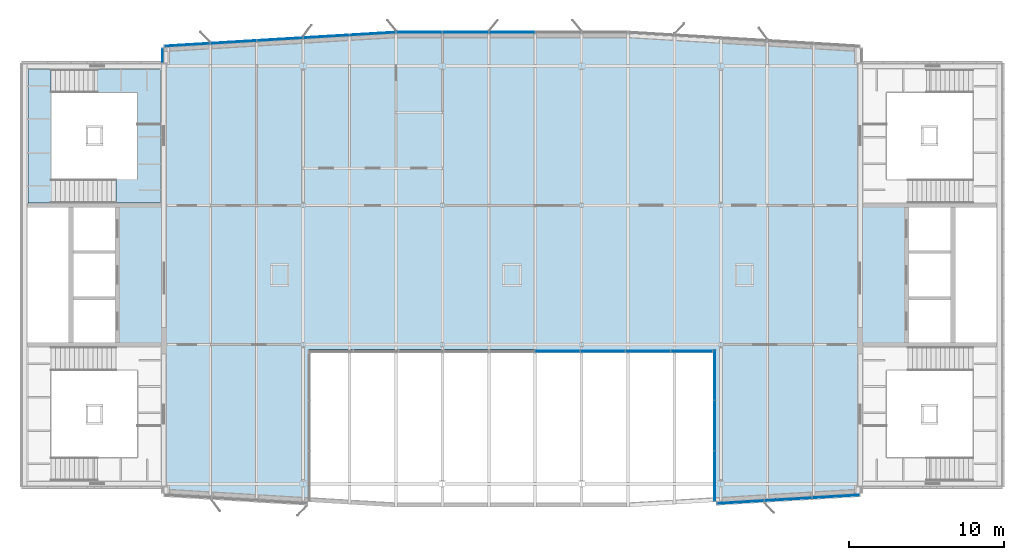
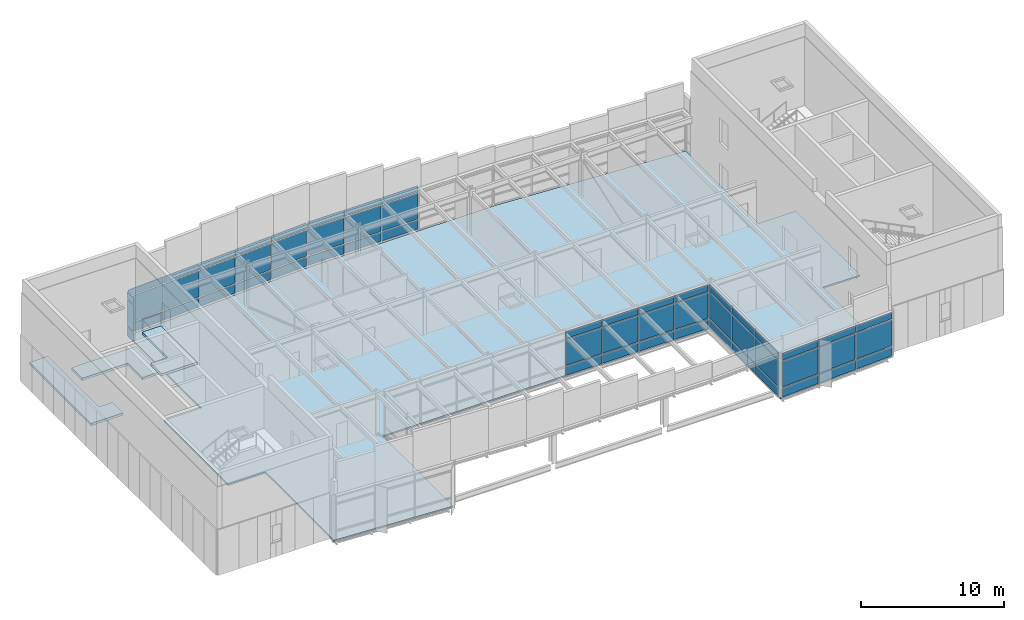
# One storey, part 12 of 23: 57 plates, 4 slabs, 7 elements without a shape of their own.
"""IFC4 building model written with IfcOpenShell, lengths in metres."""

from ifc_helpers import new_model, si_unit, direction, frame, origin, origin_2d, place, context, subcontext, project, spatial, polyline, rectangle, outline, extrude, material, layer, layer_set, type_object, element, aggregate, save


model = new_model("IFC4")

# Units and contexts
model_context = context("Model", 3, precision=1e-05, world=origin(), true_north=direction((0.0, 1.0)))
body_context = subcontext(model_context, "Body", "Model", "MODEL_VIEW")
ifc_project = project(units=[si_unit("LENGTHUNIT", "METRE"), si_unit("AREAUNIT", "SQUARE_METRE"), si_unit("VOLUMEUNIT", "CUBIC_METRE"), si_unit("PLANEANGLEUNIT", "RADIAN"), si_unit("MASSUNIT", "GRAM", prefix="KILO")], contexts=[model_context])

# Site, building, storey
site_placement = place(None, origin())
site = spatial("IfcSite", under=ifc_project, at=site_placement, CompositionType="ELEMENT")
building_placement = place(site_placement, origin())
building = spatial("IfcBuilding", under=site, at=building_placement, Name="Azimuth Sports and Learning Centre", CompositionType="ELEMENT")
storey_placement = place(building_placement, frame((0.0, 0.0, 75.300048828125)))
storey = spatial("IfcBuildingStorey", under=building, at=storey_placement, Name="L17", CompositionType="ELEMENT", Elevation=75.300048828125)

# Slab
ifc_material_1 = material(Name="Concrete C30/37", Category="concrete")
ifc_layer_1 = layer(ifc_material_1, 0.1298828125)
ifc_layer_set_1 = layer_set([ifc_layer_1], Name="Concrete C30/37")
slab_type_1 = type_object("IfcSlabType", Name="Composite floor slab 130", PredefinedType="FLOOR", material=ifc_layer_set_1)
slab_1_placement = place(storey_placement, frame((0.0, 0.0, -0.130126953125)))
element("IfcSlab", 1, at=slab_1_placement, inside=storey, type_object=slab_type_1, Name="Slab TOWER L17", PredefinedType="FLOOR", context=body_context, shape_type="SweptSolid", body=[
    extrude(outline(polyline([(72.300048828125, 88.842041015625), (72.300048828125, 98.699951171875), (98.699951171875, 98.699951171875), (98.699951171875, 88.842041015625), (108.0, 89.39990234375), (108.0, 99.0), (111.0, 99.0), (111.0, 108.0), (108.0, 108.0), (108.0, 118.199951171875), (93.0, 119.10009765625), (78.0, 119.10009765625), (63.0, 118.199951171875), (63.0, 108.0), (60.0, 108.0), (60.0, 99.0), (63.0, 99.0), (63.0, 89.39990234375), (72.300048828125, 88.842041015625)])), origin(), (0.0, 0.0, 1.0), 0.130126953125),
])

# Stair, slabs
ifc_material_2 = material(Name="Concrete C32/40", Category="concrete")
stair_type = type_object("IfcStairType", Name="Square-well stair core 3900 storey", PredefinedType="THREE_QUARTER_TURN_STAIR", material=ifc_material_2)
stair_placement = place(storey_placement, origin())
stair = element("IfcStair", 2, at=stair_placement, inside=storey, type_object=stair_type, Name="Stair W2 L17-Roof", PredefinedType="THREE_QUARTER_TURN_STAIR")
ifc_material_3 = material(Name="Concrete C32/40", Category="concrete")
ifc_layer_2 = layer(ifc_material_3, 0.199951171875)
ifc_layer_set_2 = layer_set([ifc_layer_2], Name="Concrete C32/40")
slab_type_2 = type_object("IfcSlabType", Name="Concrete stair landing", PredefinedType="LANDING", material=ifc_layer_set_2)
slab_2_placement = place(storey_placement, frame((0.0, 0.0, -0.199951171875)))
slab_2 = element("IfcSlab", 3, at=slab_2_placement, type_object=slab_type_2, Name="Stair W2 L17 landing 1", PredefinedType="LANDING", context=body_context, shape_type="SweptSolid", body=[
    extrude(outline(polyline([(57.610107421875, 115.2900390625), (61.2900390625, 115.2900390625), (61.2900390625, 113.25), (62.7900390625, 113.25), (62.7900390625, 116.7900390625), (57.610107421875, 116.7900390625), (57.610107421875, 115.2900390625)])), origin(), (0.0, 0.0, 1.0), 0.199951171875),
])
slab_3_placement = place(storey_placement, frame((0.0, 0.0, 1.449951171875)))
slab_3 = element("IfcSlab", 4, at=slab_3_placement, type_object=slab_type_2, Name="Stair W2 L17 landing 2", PredefinedType="LANDING", context=body_context, shape_type="SweptSolid", body=[
    extrude(outline(polyline([(55.7099609375, 115.2900390625), (55.710693359375, 115.2900390625), (55.710693359375, 116.7900390625), (54.2099609375, 116.7900390625), (54.2099609375, 108.159912109375), (56.81005859375, 108.159912109375), (56.81005859375, 109.659912109375), (55.7099609375, 109.659912109375), (55.7099609375, 115.2900390625)])), origin(), (0.0, 0.0, 1.0), 0.199951171875),
])
slab_4_placement = place(storey_placement, frame((0.0, 0.0, 3.699951171875)))
slab_4 = element("IfcSlab", 5, at=slab_4_placement, type_object=slab_type_2, Name="Stair W2 L17 landing 3", PredefinedType="LANDING", context=body_context, shape_type="SweptSolid", body=[
    extrude(outline(polyline([(61.2900390625, 109.659912109375), (59.9091796875, 109.659912109375), (59.9091796875, 108.159912109375), (62.7900390625, 108.159912109375), (62.7900390625, 113.25), (61.2900390625, 113.25), (61.2900390625, 109.659912109375)])), origin(), (0.0, 0.0, 1.0), 0.199951171875),
])
aggregate(stair, [slab_2, slab_3, slab_4])

# Curtain wall, plates
ifc_material_4 = material(Name="Aluminium and glass", Category="aluminium")
curtain_wall_type_1 = type_object("IfcCurtainWallType", Name="Curtain wall tower south 240", PredefinedType="NOTDEFINED", material=ifc_material_4)
curtain_wall_1_placement = place(storey_placement, origin())
curtain_wall_1 = element("IfcCurtainWall", 6, at=curtain_wall_1_placement, inside=storey, type_object=curtain_wall_type_1, Name="Curtain wall CW17-004", PredefinedType="NOTDEFINED")
ifc_material_5 = material(Name="Insulated aluminium panel", Category="aluminium")
ifc_layer_3 = layer(ifc_material_5, 0.050048828125)
ifc_layer_set_3 = layer_set([ifc_layer_3], Name="Insulated aluminium panel")
plate_type_1 = type_object("IfcPlateType", Name="Spandrel panel 50 mm", PredefinedType="CURTAIN_PANEL", material=ifc_layer_set_3)
plate_1_placement = place(storey_placement, frame((88.433349609375, 98.580078125, 0.099853515625), z_axis=(0.0, 0.0, 1.0), x_axis=(1.0, 0.0, 0.0)))
plate_1 = element("IfcPlate", 7, at=plate_1_placement, type_object=plate_type_1, Name="CW17-004 panel 6.1", PredefinedType="CURTAIN_PANEL", context=body_context, shape_type="SweptSolid", body=[
    extrude(rectangle(XDim=2.86328125, YDim=0.050048828125, at=origin_2d()), origin(), (0.0, 0.0, 1.0), 0.75),
])
plate_2_placement = place(storey_placement, frame((88.433349609375, 98.580078125, 3.25), z_axis=(0.0, 0.0, 1.0), x_axis=(1.0, 0.0, 0.0)))
plate_2 = element("IfcPlate", 8, at=plate_2_placement, type_object=plate_type_1, Name="CW17-004 panel 6.3", PredefinedType="CURTAIN_PANEL", context=body_context, shape_type="SweptSolid", body=[
    extrude(rectangle(XDim=2.86328125, YDim=0.050048828125, at=origin_2d()), origin(), (0.0, 0.0, 1.0), 0.550048828125),
])
plate_3_placement = place(storey_placement, frame((91.36669921875, 98.580078125, 0.099853515625), z_axis=(0.0, 0.0, 1.0), x_axis=(1.0, 0.0, 0.0)))
plate_3 = element("IfcPlate", 9, at=plate_3_placement, type_object=plate_type_1, Name="CW17-004 panel 7.1", PredefinedType="CURTAIN_PANEL", context=body_context, shape_type="SweptSolid", body=[
    extrude(rectangle(XDim=2.86328125, YDim=0.050048828125, at=origin_2d()), origin(), (0.0, 0.0, 1.0), 0.75),
])
plate_4_placement = place(storey_placement, frame((91.36669921875, 98.580078125, 3.25), z_axis=(0.0, 0.0, 1.0), x_axis=(1.0, 0.0, 0.0)))
plate_4 = element("IfcPlate", 10, at=plate_4_placement, type_object=plate_type_1, Name="CW17-004 panel 7.3", PredefinedType="CURTAIN_PANEL", context=body_context, shape_type="SweptSolid", body=[
    extrude(rectangle(XDim=2.86328125, YDim=0.050048828125, at=origin_2d()), origin(), (0.0, 0.0, 1.0), 0.550048828125),
])
plate_5_placement = place(storey_placement, frame((94.300048828125, 98.580078125, 0.099853515625), z_axis=(0.0, 0.0, 1.0), x_axis=(1.0, 0.0, 0.0)))
plate_5 = element("IfcPlate", 11, at=plate_5_placement, type_object=plate_type_1, Name="CW17-004 panel 8.1", PredefinedType="CURTAIN_PANEL", context=body_context, shape_type="SweptSolid", body=[
    extrude(rectangle(XDim=2.86328125, YDim=0.050048828125, at=origin_2d()), origin(), (0.0, 0.0, 1.0), 0.75),
])
plate_6_placement = place(storey_placement, frame((94.300048828125, 98.580078125, 3.25), z_axis=(0.0, 0.0, 1.0), x_axis=(1.0, 0.0, 0.0)))
plate_6 = element("IfcPlate", 12, at=plate_6_placement, type_object=plate_type_1, Name="CW17-004 panel 8.3", PredefinedType="CURTAIN_PANEL", context=body_context, shape_type="SweptSolid", body=[
    extrude(rectangle(XDim=2.86328125, YDim=0.050048828125, at=origin_2d()), origin(), (0.0, 0.0, 1.0), 0.550048828125),
])
plate_7_placement = place(storey_placement, frame((97.125732421875, 98.580078125, 0.099853515625), z_axis=(0.0, 0.0, 1.0), x_axis=(1.0, 0.0, 0.0)))
plate_7 = element("IfcPlate", 13, at=plate_7_placement, type_object=plate_type_1, Name="CW17-004 panel 9.1", PredefinedType="CURTAIN_PANEL", context=body_context, shape_type="SweptSolid", body=[
    extrude(rectangle(XDim=2.6484375, YDim=0.050048828125, at=origin_2d()), origin(), (0.0, 0.0, 1.0), 0.75),
])
plate_8_placement = place(storey_placement, frame((97.125732421875, 98.580078125, 3.25), z_axis=(0.0, 0.0, 1.0), x_axis=(1.0, 0.0, 0.0)))
plate_8 = element("IfcPlate", 14, at=plate_8_placement, type_object=plate_type_1, Name="CW17-004 panel 9.3", PredefinedType="CURTAIN_PANEL", context=body_context, shape_type="SweptSolid", body=[
    extrude(rectangle(XDim=2.6484375, YDim=0.050048828125, at=origin_2d()), origin(), (0.0, 0.0, 1.0), 0.550048828125),
])

ifc_material_6 = material(Name="Aluminium and glass", Category="aluminium")
curtain_wall_type_2 = type_object("IfcCurtainWallType", Name="Curtain wall tower return 180", PredefinedType="NOTDEFINED", material=ifc_material_6)
curtain_wall_2_placement = place(storey_placement, origin())
curtain_wall_2 = element("IfcCurtainWall", 15, at=curtain_wall_2_placement, inside=storey, type_object=curtain_wall_type_2, Name="Curtain wall CW17-005", PredefinedType="NOTDEFINED")
plate_9_placement = place(storey_placement, frame((98.610107421875, 97.0419921875, 0.099853515625), z_axis=(0.0, 0.0, 1.0), x_axis=(0.0, -1.0, 0.0)))
plate_9 = element("IfcPlate", 16, at=plate_9_placement, type_object=plate_type_1, Name="CW17-005 panel 1.1", PredefinedType="CURTAIN_PANEL", context=body_context, shape_type="SweptSolid", body=[
    extrude(rectangle(XDim=3.196044921875, YDim=0.050048828125, at=origin_2d()), origin(), (0.0, 0.0, 1.0), 0.75),
])
plate_10_placement = place(storey_placement, frame((98.610107421875, 97.0419921875, 0.9501953125), z_axis=(0.0, 0.0, 1.0), x_axis=(0.0, -1.0, 0.0)))
plate_10 = element("IfcPlate", 17, at=plate_10_placement, type_object=plate_type_1, Name="CW17-005 panel 1.2", PredefinedType="CURTAIN_PANEL", context=body_context, shape_type="SweptSolid", body=[
    extrude(rectangle(XDim=3.196044921875, YDim=0.050048828125, at=origin_2d()), origin(), (0.0, 0.0, 1.0), 2.199951171875),
])
plate_11_placement = place(storey_placement, frame((98.610107421875, 97.0419921875, 3.25), z_axis=(0.0, 0.0, 1.0), x_axis=(0.0, -1.0, 0.0)))
plate_11 = element("IfcPlate", 18, at=plate_11_placement, type_object=plate_type_1, Name="CW17-005 panel 1.3", PredefinedType="CURTAIN_PANEL", context=body_context, shape_type="SweptSolid", body=[
    extrude(rectangle(XDim=3.196044921875, YDim=0.050048828125, at=origin_2d()), origin(), (0.0, 0.0, 1.0), 0.550048828125),
])
plate_12_placement = place(storey_placement, frame((98.610107421875, 93.77099609375, 0.099853515625), z_axis=(0.0, 0.0, 1.0), x_axis=(0.0, -1.0, 0.0)))
plate_12 = element("IfcPlate", 19, at=plate_12_placement, type_object=plate_type_1, Name="CW17-005 panel 2.1", PredefinedType="CURTAIN_PANEL", context=body_context, shape_type="SweptSolid", body=[
    extrude(rectangle(XDim=3.22607421875, YDim=0.050048828125, at=origin_2d()), origin(), (0.0, 0.0, 1.0), 0.75),
])
plate_13_placement = place(storey_placement, frame((98.610107421875, 93.77099609375, 0.9501953125), z_axis=(0.0, 0.0, 1.0), x_axis=(0.0, -1.0, 0.0)))
plate_13 = element("IfcPlate", 20, at=plate_13_placement, type_object=plate_type_1, Name="CW17-005 panel 2.2", PredefinedType="CURTAIN_PANEL", context=body_context, shape_type="SweptSolid", body=[
    extrude(rectangle(XDim=3.22607421875, YDim=0.050048828125, at=origin_2d()), origin(), (0.0, 0.0, 1.0), 2.199951171875),
])
plate_14_placement = place(storey_placement, frame((98.610107421875, 93.77099609375, 3.25), z_axis=(0.0, 0.0, 1.0), x_axis=(0.0, -1.0, 0.0)))
plate_14 = element("IfcPlate", 21, at=plate_14_placement, type_object=plate_type_1, Name="CW17-005 panel 2.3", PredefinedType="CURTAIN_PANEL", context=body_context, shape_type="SweptSolid", body=[
    extrude(rectangle(XDim=3.22607421875, YDim=0.050048828125, at=origin_2d()), origin(), (0.0, 0.0, 1.0), 0.550048828125),
])
plate_15_placement = place(storey_placement, frame((98.610107421875, 90.5, 0.099853515625), z_axis=(0.0, 0.0, 1.0), x_axis=(0.0, -1.0, 0.0)))
plate_15 = element("IfcPlate", 22, at=plate_15_placement, type_object=plate_type_1, Name="CW17-005 panel 3.1", PredefinedType="CURTAIN_PANEL", context=body_context, shape_type="SweptSolid", body=[
    extrude(rectangle(XDim=3.196044921875, YDim=0.050048828125, at=origin_2d()), origin(), (0.0, 0.0, 1.0), 0.75),
])
plate_16_placement = place(storey_placement, frame((98.610107421875, 90.5, 0.9501953125), z_axis=(0.0, 0.0, 1.0), x_axis=(0.0, -1.0, 0.0)))
plate_16 = element("IfcPlate", 23, at=plate_16_placement, type_object=plate_type_1, Name="CW17-005 panel 3.2", PredefinedType="CURTAIN_PANEL", context=body_context, shape_type="SweptSolid", body=[
    extrude(rectangle(XDim=3.196044921875, YDim=0.050048828125, at=origin_2d()), origin(), (0.0, 0.0, 1.0), 2.199951171875),
])
plate_17_placement = place(storey_placement, frame((98.610107421875, 90.5, 3.25), z_axis=(0.0, 0.0, 1.0), x_axis=(0.0, -1.0, 0.0)))
plate_17 = element("IfcPlate", 24, at=plate_17_placement, type_object=plate_type_1, Name="CW17-005 panel 3.3", PredefinedType="CURTAIN_PANEL", context=body_context, shape_type="SweptSolid", body=[
    extrude(rectangle(XDim=3.196044921875, YDim=0.050048828125, at=origin_2d()), origin(), (0.0, 0.0, 1.0), 0.550048828125),
])
aggregate(curtain_wall_2, [plate_9, plate_10, plate_11, plate_12, plate_13, plate_14, plate_15, plate_16, plate_17])

curtain_wall_3_placement = place(storey_placement, origin())
curtain_wall_3 = element("IfcCurtainWall", 25, at=curtain_wall_3_placement, inside=storey, type_object=curtain_wall_type_1, Name="Curtain wall CW17-006", PredefinedType="NOTDEFINED")
plate_18_placement = place(storey_placement, frame((100.274658203125, 88.816162109375, 0.099853515625), z_axis=(0.0, 0.0, 1.0), x_axis=(0.998204863401, 0.059891991812, 0.0)))
plate_18 = element("IfcPlate", 26, at=plate_18_placement, type_object=plate_type_1, Name="CW17-006 panel 1.1", PredefinedType="CURTAIN_PANEL", context=body_context, shape_type="SweptSolid", body=[
    extrude(rectangle(XDim=3.00048828125, YDim=0.050048828125, at=origin_2d()), origin(), (0.0, 0.0, 1.0), 0.75),
])
plate_19_placement = place(storey_placement, frame((100.274658203125, 88.816162109375, 3.25), z_axis=(0.0, 0.0, 1.0), x_axis=(0.998204863401, 0.059891991812, 0.0)))
plate_19 = element("IfcPlate", 27, at=plate_19_placement, type_object=plate_type_1, Name="CW17-006 panel 1.3", PredefinedType="CURTAIN_PANEL", context=body_context, shape_type="SweptSolid", body=[
    extrude(rectangle(XDim=3.00048828125, YDim=0.050048828125, at=origin_2d()), origin(), (0.0, 0.0, 1.0), 0.550048828125),
])
plate_20_placement = place(storey_placement, frame((103.357177734375, 89.001220703125, 0.099853515625), z_axis=(0.0, 0.0, 1.0), x_axis=(0.998204863401, 0.059891991812, 0.0)))
plate_20 = element("IfcPlate", 28, at=plate_20_placement, type_object=plate_type_1, Name="CW17-006 panel 2.1", PredefinedType="CURTAIN_PANEL", context=body_context, shape_type="SweptSolid", body=[
    extrude(rectangle(XDim=3.03564453125, YDim=0.050048828125, at=origin_2d()), origin(), (0.0, 0.0, 1.0), 0.75),
])
plate_21_placement = place(storey_placement, frame((103.357177734375, 89.001220703125, 3.25), z_axis=(0.0, 0.0, 1.0), x_axis=(0.998204863401, 0.059891991812, 0.0)))
plate_21 = element("IfcPlate", 29, at=plate_21_placement, type_object=plate_type_1, Name="CW17-006 panel 2.3", PredefinedType="CURTAIN_PANEL", context=body_context, shape_type="SweptSolid", body=[
    extrude(rectangle(XDim=3.03564453125, YDim=0.050048828125, at=origin_2d()), origin(), (0.0, 0.0, 1.0), 0.550048828125),
])
plate_22_placement = place(storey_placement, frame((106.439697265625, 89.186279296875, 0.099853515625), z_axis=(0.0, 0.0, 1.0), x_axis=(0.998204863401, 0.059891991812, 0.0)))
plate_22 = element("IfcPlate", 30, at=plate_22_placement, type_object=plate_type_1, Name="CW17-006 panel 3.1", PredefinedType="CURTAIN_PANEL", context=body_context, shape_type="SweptSolid", body=[
    extrude(rectangle(XDim=3.00048828125, YDim=0.050048828125, at=origin_2d()), origin(), (0.0, 0.0, 1.0), 0.75),
])
plate_23_placement = place(storey_placement, frame((106.439697265625, 89.186279296875, 3.25), z_axis=(0.0, 0.0, 1.0), x_axis=(0.998204863401, 0.059891991812, 0.0)))
plate_23 = element("IfcPlate", 31, at=plate_23_placement, type_object=plate_type_1, Name="CW17-006 panel 3.3", PredefinedType="CURTAIN_PANEL", context=body_context, shape_type="SweptSolid", body=[
    extrude(rectangle(XDim=3.00048828125, YDim=0.050048828125, at=origin_2d()), origin(), (0.0, 0.0, 1.0), 0.550048828125),
])

ifc_material_7 = material(Name="Aluminium and glass", Category="aluminium")
curtain_wall_type_3 = type_object("IfcCurtainWallType", Name="Curtain wall tower north 180", PredefinedType="NOTDEFINED", material=ifc_material_7)
curtain_wall_4_placement = place(storey_placement, origin())
curtain_wall_4 = element("IfcCurtainWall", 32, at=curtain_wall_4_placement, inside=storey, type_object=curtain_wall_type_3, Name="Curtain wall CW17-010", PredefinedType="NOTDEFINED")
plate_24_placement = place(storey_placement, frame((85.5, 119.18994140625, 0.099853515625), z_axis=(0.0, 0.0, 1.0), x_axis=(-1.0, 0.0, 0.0)))
plate_24 = element("IfcPlate", 33, at=plate_24_placement, type_object=plate_type_1, Name="CW17-010 panel 3.1", PredefinedType="CURTAIN_PANEL", context=body_context, shape_type="SweptSolid", body=[
    extrude(rectangle(XDim=2.93994140625, YDim=0.050048828125, at=origin_2d()), origin(), (0.0, 0.0, 1.0), 0.75),
])
plate_25_placement = place(storey_placement, frame((85.5, 119.18994140625, 3.25), z_axis=(0.0, 0.0, 1.0), x_axis=(-1.0, 0.0, 0.0)))
plate_25 = element("IfcPlate", 34, at=plate_25_placement, type_object=plate_type_1, Name="CW17-010 panel 3.3", PredefinedType="CURTAIN_PANEL", context=body_context, shape_type="SweptSolid", body=[
    extrude(rectangle(XDim=2.93994140625, YDim=0.050048828125, at=origin_2d()), origin(), (0.0, 0.0, 1.0), 0.550048828125),
])
plate_26_placement = place(storey_placement, frame((82.5, 119.18994140625, 0.099853515625), z_axis=(0.0, 0.0, 1.0), x_axis=(-1.0, 0.0, 0.0)))
plate_26 = element("IfcPlate", 35, at=plate_26_placement, type_object=plate_type_1, Name="CW17-010 panel 4.1", PredefinedType="CURTAIN_PANEL", context=body_context, shape_type="SweptSolid", body=[
    extrude(rectangle(XDim=2.93994140625, YDim=0.050048828125, at=origin_2d()), origin(), (0.0, 0.0, 1.0), 0.75),
])
plate_27_placement = place(storey_placement, frame((82.5, 119.18994140625, 3.25), z_axis=(0.0, 0.0, 1.0), x_axis=(-1.0, 0.0, 0.0)))
plate_27 = element("IfcPlate", 36, at=plate_27_placement, type_object=plate_type_1, Name="CW17-010 panel 4.3", PredefinedType="CURTAIN_PANEL", context=body_context, shape_type="SweptSolid", body=[
    extrude(rectangle(XDim=2.93994140625, YDim=0.050048828125, at=origin_2d()), origin(), (0.0, 0.0, 1.0), 0.550048828125),
])
plate_28_placement = place(storey_placement, frame((79.514892578125, 119.18994140625, 0.099853515625), z_axis=(0.0, 0.0, 1.0), x_axis=(-1.0, 0.0, 0.0)))
plate_28 = element("IfcPlate", 37, at=plate_28_placement, type_object=plate_type_1, Name="CW17-010 panel 5.1", PredefinedType="CURTAIN_PANEL", context=body_context, shape_type="SweptSolid", body=[
    extrude(rectangle(XDim=2.909912109375, YDim=0.050048828125, at=origin_2d()), origin(), (0.0, 0.0, 1.0), 0.75),
])
plate_29_placement = place(storey_placement, frame((79.514892578125, 119.18994140625, 3.25), z_axis=(0.0, 0.0, 1.0), x_axis=(-1.0, 0.0, 0.0)))
plate_29 = element("IfcPlate", 38, at=plate_29_placement, type_object=plate_type_1, Name="CW17-010 panel 5.3", PredefinedType="CURTAIN_PANEL", context=body_context, shape_type="SweptSolid", body=[
    extrude(rectangle(XDim=2.909912109375, YDim=0.050048828125, at=origin_2d()), origin(), (0.0, 0.0, 1.0), 0.550048828125),
])

curtain_wall_5_placement = place(storey_placement, origin())
curtain_wall_5 = element("IfcCurtainWall", 39, at=curtain_wall_5_placement, inside=storey, type_object=curtain_wall_type_3, Name="Curtain wall CW17-011", PredefinedType="NOTDEFINED")
plate_30_placement = place(storey_placement, frame((76.482421875, 119.09912109375, 0.099853515625), z_axis=(0.0, 0.0, 1.0), x_axis=(-0.998204863401, -0.059891991812, 0.0)))
plate_30 = element("IfcPlate", 40, at=plate_30_placement, type_object=plate_type_1, Name="CW17-011 panel 1.1", PredefinedType="CURTAIN_PANEL", context=body_context, shape_type="SweptSolid", body=[
    extrude(rectangle(XDim=2.9208984375, YDim=0.050048828125, at=origin_2d()), origin(), (0.0, 0.0, 1.0), 0.75),
])
plate_31_placement = place(storey_placement, frame((76.482421875, 119.09912109375, 3.25), z_axis=(0.0, 0.0, 1.0), x_axis=(-0.998204863401, -0.059891991812, 0.0)))
plate_31 = element("IfcPlate", 41, at=plate_31_placement, type_object=plate_type_1, Name="CW17-011 panel 1.3", PredefinedType="CURTAIN_PANEL", context=body_context, shape_type="SweptSolid", body=[
    extrude(rectangle(XDim=2.9208984375, YDim=0.050048828125, at=origin_2d()), origin(), (0.0, 0.0, 1.0), 0.550048828125),
])
plate_32_placement = place(storey_placement, frame((73.49462890625, 118.919921875, 0.099853515625), z_axis=(0.0, 0.0, 1.0), x_axis=(-0.998204863401, -0.059891991812, 0.0)))
plate_32 = element("IfcPlate", 42, at=plate_32_placement, type_object=plate_type_1, Name="CW17-011 panel 2.1", PredefinedType="CURTAIN_PANEL", context=body_context, shape_type="SweptSolid", body=[
    extrude(rectangle(XDim=2.9453125, YDim=0.050048828125, at=origin_2d()), origin(), (0.0, 0.0, 1.0), 0.75),
])
plate_33_placement = place(storey_placement, frame((73.49462890625, 118.919921875, 3.25), z_axis=(0.0, 0.0, 1.0), x_axis=(-0.998204863401, -0.059891991812, 0.0)))
plate_33 = element("IfcPlate", 43, at=plate_33_placement, type_object=plate_type_1, Name="CW17-011 panel 2.3", PredefinedType="CURTAIN_PANEL", context=body_context, shape_type="SweptSolid", body=[
    extrude(rectangle(XDim=2.9453125, YDim=0.050048828125, at=origin_2d()), origin(), (0.0, 0.0, 1.0), 0.550048828125),
])
plate_34_placement = place(storey_placement, frame((70.49462890625, 118.73974609375, 0.099853515625), z_axis=(0.0, 0.0, 1.0), x_axis=(-0.998204863401, -0.059891991812, 0.0)))
plate_34 = element("IfcPlate", 44, at=plate_34_placement, type_object=plate_type_1, Name="CW17-011 panel 3.1", PredefinedType="CURTAIN_PANEL", context=body_context, shape_type="SweptSolid", body=[
    extrude(rectangle(XDim=2.9453125, YDim=0.050048828125, at=origin_2d()), origin(), (0.0, 0.0, 1.0), 0.75),
])
plate_35_placement = place(storey_placement, frame((70.49462890625, 118.73974609375, 3.25), z_axis=(0.0, 0.0, 1.0), x_axis=(-0.998204863401, -0.059891991812, 0.0)))
plate_35 = element("IfcPlate", 45, at=plate_35_placement, type_object=plate_type_1, Name="CW17-011 panel 3.3", PredefinedType="CURTAIN_PANEL", context=body_context, shape_type="SweptSolid", body=[
    extrude(rectangle(XDim=2.9453125, YDim=0.050048828125, at=origin_2d()), origin(), (0.0, 0.0, 1.0), 0.550048828125),
])
plate_36_placement = place(storey_placement, frame((67.49462890625, 118.559814453125, 0.099853515625), z_axis=(0.0, 0.0, 1.0), x_axis=(-0.998204863401, -0.059891991812, 0.0)))
plate_36 = element("IfcPlate", 46, at=plate_36_placement, type_object=plate_type_1, Name="CW17-011 panel 4.1", PredefinedType="CURTAIN_PANEL", context=body_context, shape_type="SweptSolid", body=[
    extrude(rectangle(XDim=2.9453125, YDim=0.050048828125, at=origin_2d()), origin(), (0.0, 0.0, 1.0), 0.75),
])
plate_37_placement = place(storey_placement, frame((67.49462890625, 118.559814453125, 3.25), z_axis=(0.0, 0.0, 1.0), x_axis=(-0.998204863401, -0.059891991812, 0.0)))
plate_37 = element("IfcPlate", 47, at=plate_37_placement, type_object=plate_type_1, Name="CW17-011 panel 4.3", PredefinedType="CURTAIN_PANEL", context=body_context, shape_type="SweptSolid", body=[
    extrude(rectangle(XDim=2.9453125, YDim=0.050048828125, at=origin_2d()), origin(), (0.0, 0.0, 1.0), 0.550048828125),
])
plate_38_placement = place(storey_placement, frame((64.509521484375, 118.380859375, 0.099853515625), z_axis=(0.0, 0.0, 1.0), x_axis=(-0.998204863401, -0.059891991812, 0.0)))
plate_38 = element("IfcPlate", 48, at=plate_38_placement, type_object=plate_type_1, Name="CW17-011 panel 5.1", PredefinedType="CURTAIN_PANEL", context=body_context, shape_type="SweptSolid", body=[
    extrude(rectangle(XDim=2.915283203125, YDim=0.050048828125, at=origin_2d()), origin(), (0.0, 0.0, 1.0), 0.75),
])
plate_39_placement = place(storey_placement, frame((64.509521484375, 118.380859375, 3.25), z_axis=(0.0, 0.0, 1.0), x_axis=(-0.998204863401, -0.059891991812, 0.0)))
plate_39 = element("IfcPlate", 49, at=plate_39_placement, type_object=plate_type_1, Name="CW17-011 panel 5.3", PredefinedType="CURTAIN_PANEL", context=body_context, shape_type="SweptSolid", body=[
    extrude(rectangle(XDim=2.915283203125, YDim=0.050048828125, at=origin_2d()), origin(), (0.0, 0.0, 1.0), 0.550048828125),
])

curtain_wall_6_placement = place(storey_placement, origin())
curtain_wall_6 = element("IfcCurtainWall", 50, at=curtain_wall_6_placement, inside=storey, type_object=curtain_wall_type_2, Name="Curtain wall CW17-012", PredefinedType="NOTDEFINED")
plate_40_placement = place(storey_placement, frame((62.909912109375, 117.699951171875, 0.099853515625), z_axis=(0.0, 0.0, 1.0), x_axis=(0.0, -1.0, 0.0)))
plate_40 = element("IfcPlate", 51, at=plate_40_placement, type_object=plate_type_1, Name="CW17-012 panel 1.1", PredefinedType="CURTAIN_PANEL", context=body_context, shape_type="SweptSolid", body=[
    extrude(rectangle(XDim=0.8798828125, YDim=0.050048828125, at=origin_2d()), origin(), (0.0, 0.0, 1.0), 0.75),
])
plate_41_placement = place(storey_placement, frame((62.909912109375, 117.699951171875, 3.25), z_axis=(0.0, 0.0, 1.0), x_axis=(0.0, -1.0, 0.0)))
plate_41 = element("IfcPlate", 52, at=plate_41_placement, type_object=plate_type_1, Name="CW17-012 panel 1.3", PredefinedType="CURTAIN_PANEL", context=body_context, shape_type="SweptSolid", body=[
    extrude(rectangle(XDim=0.8798828125, YDim=0.050048828125, at=origin_2d()), origin(), (0.0, 0.0, 1.0), 0.550048828125),
])

# Plate
ifc_material_8 = material(Name="Glass", Category="glass")
ifc_layer_4 = layer(ifc_material_8, 0.031982421875)
ifc_layer_set_4 = layer_set([ifc_layer_4], Name="Glass")
plate_type_2 = type_object("IfcPlateType", Name="Vision glass 32 mm", PredefinedType="CURTAIN_PANEL", material=ifc_layer_set_4)
plate_42_placement = place(storey_placement, frame((88.433349609375, 98.580078125, 0.9501953125), z_axis=(0.0, 0.0, 1.0), x_axis=(1.0, 0.0, 0.0)))
plate_42 = element("IfcPlate", 53, at=plate_42_placement, type_object=plate_type_2, Name="CW17-004 panel 6.2", PredefinedType="CURTAIN_PANEL", context=body_context, shape_type="SweptSolid", body=[
    extrude(rectangle(XDim=2.86328125, YDim=0.031982421875, at=origin_2d()), origin(), (0.0, 0.0, 1.0), 2.199951171875),
])

plate_43_placement = place(storey_placement, frame((91.36669921875, 98.580078125, 0.9501953125), z_axis=(0.0, 0.0, 1.0), x_axis=(1.0, 0.0, 0.0)))
plate_43 = element("IfcPlate", 54, at=plate_43_placement, type_object=plate_type_2, Name="CW17-004 panel 7.2", PredefinedType="CURTAIN_PANEL", context=body_context, shape_type="SweptSolid", body=[
    extrude(rectangle(XDim=2.86328125, YDim=0.031982421875, at=origin_2d()), origin(), (0.0, 0.0, 1.0), 2.199951171875),
])

plate_44_placement = place(storey_placement, frame((94.300048828125, 98.580078125, 0.9501953125), z_axis=(0.0, 0.0, 1.0), x_axis=(1.0, 0.0, 0.0)))
plate_44 = element("IfcPlate", 55, at=plate_44_placement, type_object=plate_type_2, Name="CW17-004 panel 8.2", PredefinedType="CURTAIN_PANEL", context=body_context, shape_type="SweptSolid", body=[
    extrude(rectangle(XDim=2.86328125, YDim=0.031982421875, at=origin_2d()), origin(), (0.0, 0.0, 1.0), 2.199951171875),
])

plate_45_placement = place(storey_placement, frame((97.125732421875, 98.580078125, 0.9501953125), z_axis=(0.0, 0.0, 1.0), x_axis=(1.0, 0.0, 0.0)))
plate_45 = element("IfcPlate", 56, at=plate_45_placement, type_object=plate_type_2, Name="CW17-004 panel 9.2", PredefinedType="CURTAIN_PANEL", context=body_context, shape_type="SweptSolid", body=[
    extrude(rectangle(XDim=2.6484375, YDim=0.031982421875, at=origin_2d()), origin(), (0.0, 0.0, 1.0), 2.199951171875),
])

aggregate(curtain_wall_1, [plate_1, plate_42, plate_2, plate_3, plate_43, plate_4, plate_5, plate_44, plate_6, plate_7, plate_45, plate_8])

plate_46_placement = place(storey_placement, frame((100.274658203125, 88.816162109375, 0.9501953125), z_axis=(0.0, 0.0, 1.0), x_axis=(0.998204863401, 0.059891991812, 0.0)))
plate_46 = element("IfcPlate", 57, at=plate_46_placement, type_object=plate_type_2, Name="CW17-006 panel 1.2", PredefinedType="CURTAIN_PANEL", context=body_context, shape_type="SweptSolid", body=[
    extrude(rectangle(XDim=3.00048828125, YDim=0.031982421875, at=origin_2d()), origin(), (0.0, 0.0, 1.0), 2.199951171875),
])

plate_47_placement = place(storey_placement, frame((103.357177734375, 89.001220703125, 0.9501953125), z_axis=(0.0, 0.0, 1.0), x_axis=(0.998204863401, 0.059891991812, 0.0)))
plate_47 = element("IfcPlate", 58, at=plate_47_placement, type_object=plate_type_2, Name="CW17-006 panel 2.2", PredefinedType="CURTAIN_PANEL", context=body_context, shape_type="SweptSolid", body=[
    extrude(rectangle(XDim=3.03564453125, YDim=0.031982421875, at=origin_2d()), origin(), (0.0, 0.0, 1.0), 2.199951171875),
])

plate_48_placement = place(storey_placement, frame((106.439697265625, 89.186279296875, 0.9501953125), z_axis=(0.0, 0.0, 1.0), x_axis=(0.998204863401, 0.059891991812, 0.0)))
plate_48 = element("IfcPlate", 59, at=plate_48_placement, type_object=plate_type_2, Name="CW17-006 panel 3.2", PredefinedType="CURTAIN_PANEL", context=body_context, shape_type="SweptSolid", body=[
    extrude(rectangle(XDim=3.00048828125, YDim=0.031982421875, at=origin_2d()), origin(), (0.0, 0.0, 1.0), 2.199951171875),
])

aggregate(curtain_wall_3, [plate_18, plate_46, plate_19, plate_20, plate_47, plate_21, plate_22, plate_48, plate_23])

plate_49_placement = place(storey_placement, frame((85.5, 119.18994140625, 0.9501953125), z_axis=(0.0, 0.0, 1.0), x_axis=(-1.0, 0.0, 0.0)))
plate_49 = element("IfcPlate", 60, at=plate_49_placement, type_object=plate_type_2, Name="CW17-010 panel 3.2", PredefinedType="CURTAIN_PANEL", context=body_context, shape_type="SweptSolid", body=[
    extrude(rectangle(XDim=2.93994140625, YDim=0.031982421875, at=origin_2d()), origin(), (0.0, 0.0, 1.0), 2.199951171875),
])

plate_50_placement = place(storey_placement, frame((82.5, 119.18994140625, 0.9501953125), z_axis=(0.0, 0.0, 1.0), x_axis=(-1.0, 0.0, 0.0)))
plate_50 = element("IfcPlate", 61, at=plate_50_placement, type_object=plate_type_2, Name="CW17-010 panel 4.2", PredefinedType="CURTAIN_PANEL", context=body_context, shape_type="SweptSolid", body=[
    extrude(rectangle(XDim=2.93994140625, YDim=0.031982421875, at=origin_2d()), origin(), (0.0, 0.0, 1.0), 2.199951171875),
])

plate_51_placement = place(storey_placement, frame((79.514892578125, 119.18994140625, 0.9501953125), z_axis=(0.0, 0.0, 1.0), x_axis=(-1.0, 0.0, 0.0)))
plate_51 = element("IfcPlate", 62, at=plate_51_placement, type_object=plate_type_2, Name="CW17-010 panel 5.2", PredefinedType="CURTAIN_PANEL", context=body_context, shape_type="SweptSolid", body=[
    extrude(rectangle(XDim=2.909912109375, YDim=0.031982421875, at=origin_2d()), origin(), (0.0, 0.0, 1.0), 2.199951171875),
])

aggregate(curtain_wall_4, [plate_24, plate_49, plate_25, plate_26, plate_50, plate_27, plate_28, plate_51, plate_29])

plate_52_placement = place(storey_placement, frame((76.482421875, 119.09912109375, 0.9501953125), z_axis=(0.0, 0.0, 1.0), x_axis=(-0.998204863401, -0.059891991812, 0.0)))
plate_52 = element("IfcPlate", 63, at=plate_52_placement, type_object=plate_type_2, Name="CW17-011 panel 1.2", PredefinedType="CURTAIN_PANEL", context=body_context, shape_type="SweptSolid", body=[
    extrude(rectangle(XDim=2.9208984375, YDim=0.031982421875, at=origin_2d()), origin(), (0.0, 0.0, 1.0), 2.199951171875),
])

plate_53_placement = place(storey_placement, frame((73.49462890625, 118.919921875, 0.9501953125), z_axis=(0.0, 0.0, 1.0), x_axis=(-0.998204863401, -0.059891991812, 0.0)))
plate_53 = element("IfcPlate", 64, at=plate_53_placement, type_object=plate_type_2, Name="CW17-011 panel 2.2", PredefinedType="CURTAIN_PANEL", context=body_context, shape_type="SweptSolid", body=[
    extrude(rectangle(XDim=2.9453125, YDim=0.031982421875, at=origin_2d()), origin(), (0.0, 0.0, 1.0), 2.199951171875),
])

plate_54_placement = place(storey_placement, frame((70.49462890625, 118.73974609375, 0.9501953125), z_axis=(0.0, 0.0, 1.0), x_axis=(-0.998204863401, -0.059891991812, 0.0)))
plate_54 = element("IfcPlate", 65, at=plate_54_placement, type_object=plate_type_2, Name="CW17-011 panel 3.2", PredefinedType="CURTAIN_PANEL", context=body_context, shape_type="SweptSolid", body=[
    extrude(rectangle(XDim=2.9453125, YDim=0.031982421875, at=origin_2d()), origin(), (0.0, 0.0, 1.0), 2.199951171875),
])

plate_55_placement = place(storey_placement, frame((67.49462890625, 118.559814453125, 0.9501953125), z_axis=(0.0, 0.0, 1.0), x_axis=(-0.998204863401, -0.059891991812, 0.0)))
plate_55 = element("IfcPlate", 66, at=plate_55_placement, type_object=plate_type_2, Name="CW17-011 panel 4.2", PredefinedType="CURTAIN_PANEL", context=body_context, shape_type="SweptSolid", body=[
    extrude(rectangle(XDim=2.9453125, YDim=0.031982421875, at=origin_2d()), origin(), (0.0, 0.0, 1.0), 2.199951171875),
])

plate_56_placement = place(storey_placement, frame((64.509521484375, 118.380859375, 0.9501953125), z_axis=(0.0, 0.0, 1.0), x_axis=(-0.998204863401, -0.059891991812, 0.0)))
plate_56 = element("IfcPlate", 67, at=plate_56_placement, type_object=plate_type_2, Name="CW17-011 panel 5.2", PredefinedType="CURTAIN_PANEL", context=body_context, shape_type="SweptSolid", body=[
    extrude(rectangle(XDim=2.915283203125, YDim=0.031982421875, at=origin_2d()), origin(), (0.0, 0.0, 1.0), 2.199951171875),
])

aggregate(curtain_wall_5, [plate_30, plate_52, plate_31, plate_32, plate_53, plate_33, plate_34, plate_54, plate_35, plate_36, plate_55, plate_37, plate_38, plate_56, plate_39])

plate_57_placement = place(storey_placement, frame((62.909912109375, 117.699951171875, 0.9501953125), z_axis=(0.0, 0.0, 1.0), x_axis=(0.0, -1.0, 0.0)))
plate_57 = element("IfcPlate", 68, at=plate_57_placement, type_object=plate_type_2, Name="CW17-012 panel 1.2", PredefinedType="CURTAIN_PANEL", context=body_context, shape_type="SweptSolid", body=[
    extrude(rectangle(XDim=0.8798828125, YDim=0.031982421875, at=origin_2d()), origin(), (0.0, 0.0, 1.0), 2.199951171875),
])

aggregate(curtain_wall_6, [plate_40, plate_57, plate_41])

save(model, "model.ifc")
